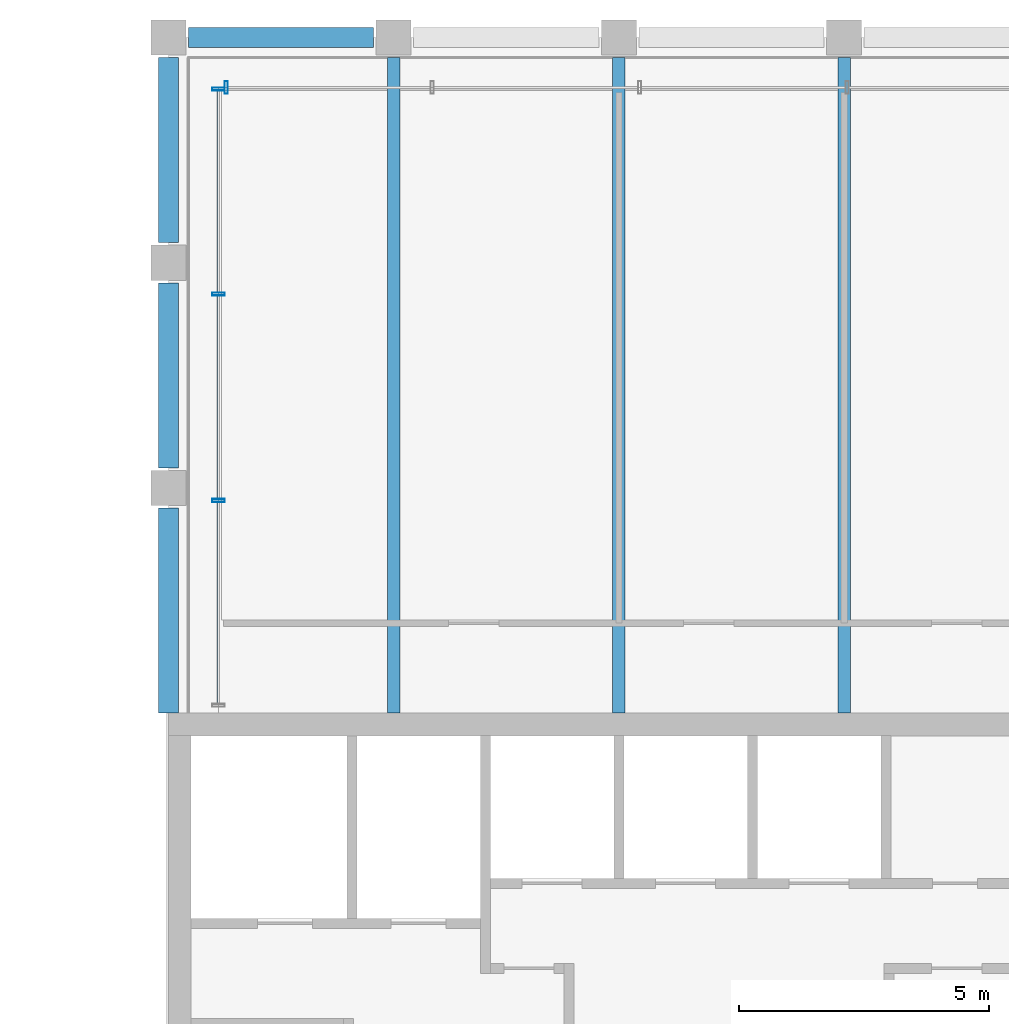
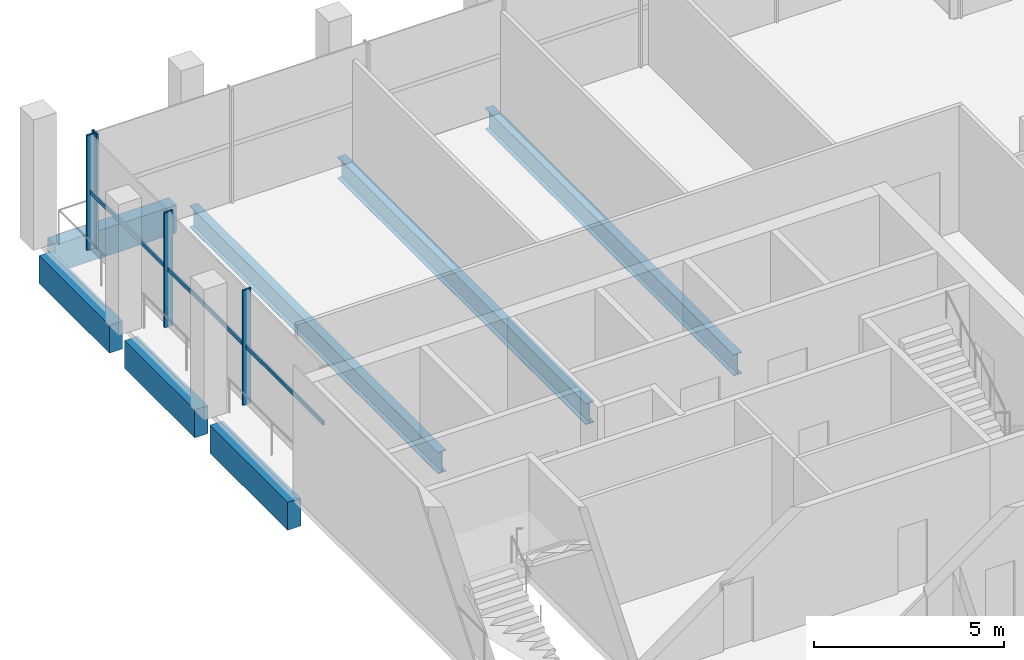
# One storey, part 10 of 17: 7 beams, 7 members, 2 elements without a shape of their own.
"""IFC4 building model written with IfcOpenShell, lengths in metres."""

from ifc_helpers import new_model, si_unit, direction, frame, origin, origin_2d, place, context, subcontext, project, spatial, rectangle, hollow_rectangle, i_section, extrude, material, material_profile, profile_set, type_object, element, aggregate, save


model = new_model("IFC4")

# Units and contexts
model_context = context("Model", 3, precision=1e-05, world=origin(), true_north=direction((0.0, 1.0)))
body_context = subcontext(model_context, "Body", "Model", "MODEL_VIEW")
ifc_project = project(units=[si_unit("LENGTHUNIT", "METRE"), si_unit("AREAUNIT", "SQUARE_METRE"), si_unit("VOLUMEUNIT", "CUBIC_METRE"), si_unit("PLANEANGLEUNIT", "RADIAN"), si_unit("MASSUNIT", "GRAM", prefix="KILO")], contexts=[model_context])

# Site, building, storey
site_placement = place(None, origin())
site = spatial("IfcSite", under=ifc_project, at=site_placement, CompositionType="ELEMENT")
building_placement = place(site_placement, origin())
building = spatial("IfcBuilding", under=site, at=building_placement, Name="Altepetl Exchange Towers", CompositionType="ELEMENT")
storey_placement = place(building_placement, frame((0.0, 0.0, 251.0)))
storey = spatial("IfcBuildingStorey", under=building, at=storey_placement, Name="L64", CompositionType="ELEMENT", Elevation=251.0)

# Beams
ifc_material_1 = material(Name="Steel S355", Category="steel")
ifc_material_profile_1 = material_profile(ifc_material_1, i_section(OverallWidth=0.25390625, OverallDepth=0.68408203125, WebThickness=0.012451171875, FlangeThickness=0.018798828125, at=origin_2d()), Name="W27X94")
ifc_profile_set_1 = profile_set([ifc_material_profile_1], Name="Steel S355")
beam_type_1 = type_object("IfcBeamType", Name="Floor beam W27X94", PredefinedType="BEAM", material=ifc_profile_set_1)
for number, where, z_axis, x_axis, name in (
    (1, (45.0, 58.5, -0.51708984375), (0.0, 1.0, 0.0), (-1.0, 0.0, 0.0), "bm:A:L64:000"),
    (2, (49.5, 58.5, -0.51708984375), (0.0, 1.0, 0.0), (-1.0, 0.0, 0.0), "bm:A:L64:001"),
    (3, (54.0, 58.5, -0.51708984375), (0.0, 1.0, 0.0), (-1.0, 0.0, 0.0), "bm:A:L64:002"),
):
    element("IfcBeam", number, at=place(storey_placement, frame(where, z_axis=z_axis, x_axis=x_axis)), inside=storey, type_object=beam_type_1, Name=name, PredefinedType="BEAM", context=body_context, shape_type="SweptSolid", body=[
        extrude(i_section(OverallWidth=0.25390625, OverallDepth=0.68408203125, WebThickness=0.012451171875, FlangeThickness=0.018798828125, at=origin_2d()), origin(), (0.0, 0.0, 1.0), 13.10009765625),
    ])

# Curtain wall, member
ifc_material_2 = material(Name="Aluminium 6063-T6 glazing", Category="aluminium")
curtain_wall_type = type_object("IfcCurtainWallType", Name="Executive flush glazing system", PredefinedType="NOTDEFINED", material=ifc_material_2)
curtain_wall_1_placement = place(storey_placement, origin())
curtain_wall_1 = element("IfcCurtainWall", 4, at=curtain_wall_1_placement, inside=storey, type_object=curtain_wall_type, Name="CW4 run", PredefinedType="NOTDEFINED")
ifc_material_3 = material(Name="Aluminium 6063-T6", Category="aluminium")
ifc_material_profile_2 = material_profile(ifc_material_3, hollow_rectangle(XDim=0.06005859375, YDim=0.25, WallThickness=0.0029296875, at=origin_2d()), Name="Mullion 60x250 hollow aluminium")
ifc_profile_set_2 = profile_set([ifc_material_profile_2], Name="Aluminium 6063-T6")
member_type_1 = type_object("IfcMemberType", Name="Mullion 60x250 hollow aluminium", PredefinedType="MULLION", material=ifc_profile_set_2)
member_1_placement = place(storey_placement, frame((41.655029296875, 71.0, 0.0), z_axis=(0.0, 0.0, 1.0), x_axis=(-1.0, 0.0, 0.0)))
member_1 = element("IfcMember", 5, at=member_1_placement, type_object=member_type_1, Name="MU3 mullion", PredefinedType="MULLION", context=body_context, shape_type="SweptSolid", body=[
    extrude(hollow_rectangle(XDim=0.06005859375, YDim=0.25, WallThickness=0.0029296875, at=origin_2d()), origin(), (0.0, 0.0, 1.0), 3.699951171875),
])
aggregate(curtain_wall_1, [member_1])

# Curtain wall, members
curtain_wall_2_placement = place(storey_placement, origin())
curtain_wall_2 = element("IfcCurtainWall", 6, at=curtain_wall_2_placement, inside=storey, type_object=curtain_wall_type, Name="CW4 run", PredefinedType="NOTDEFINED")
member_2_placement = place(storey_placement, frame((41.5, 70.969970703125, 0.0), z_axis=(0.0, 0.0, 1.0), x_axis=(0.0, -1.0, 0.0)))
member_2 = element("IfcMember", 7, at=member_2_placement, type_object=member_type_1, Name="MU3 mullion", PredefinedType="MULLION", context=body_context, shape_type="SweptSolid", body=[
    extrude(hollow_rectangle(XDim=0.06005859375, YDim=0.25, WallThickness=0.0029296875, at=origin_2d()), origin(), (0.0, 0.0, 1.0), 3.699951171875),
])
member_3_placement = place(storey_placement, frame((41.5, 66.875, 0.0), z_axis=(0.0, 0.0, 1.0), x_axis=(0.0, -1.0, 0.0)))
member_3 = element("IfcMember", 8, at=member_3_placement, type_object=member_type_1, Name="MU3 mullion", PredefinedType="MULLION", context=body_context, shape_type="SweptSolid", body=[
    extrude(hollow_rectangle(XDim=0.06005859375, YDim=0.25, WallThickness=0.0029296875, at=origin_2d()), origin(), (0.0, 0.0, 1.0), 3.699951171875),
])
member_4_placement = place(storey_placement, frame((41.5, 62.75, 0.0), z_axis=(0.0, 0.0, 1.0), x_axis=(0.0, -1.0, 0.0)))
member_4 = element("IfcMember", 9, at=member_4_placement, type_object=member_type_1, Name="MU3 mullion", PredefinedType="MULLION", context=body_context, shape_type="SweptSolid", body=[
    extrude(hollow_rectangle(XDim=0.06005859375, YDim=0.25, WallThickness=0.0029296875, at=origin_2d()), origin(), (0.0, 0.0, 1.0), 3.699951171875),
])

# Beams
ifc_material_4 = material(Name="Concrete C50/60 precast with cantera rosa facing", Category="concrete")
ifc_material_profile_3 = material_profile(ifc_material_4, rectangle(XDim=0.39990234375, YDim=0.89990234375, at=origin_2d()), Name="400 x 900")
ifc_profile_set_3 = profile_set([ifc_material_profile_3], Name="Concrete C50/60 precast with cantera rosa facing")
beam_type_2 = type_object("IfcBeamType", Name="Spandrel beam 400x900 cantera rosa", PredefinedType="SPANDREL", material=ifc_profile_set_3)
beam_1_placement = place(storey_placement, frame((44.60009765625, 72.0, -0.625), z_axis=(-1.0, 0.0, 0.0), x_axis=(0.0, -1.0, 0.0)))
element("IfcBeam", 10, at=beam_1_placement, inside=storey, type_object=beam_type_2, Name="sp:A:L64:029", PredefinedType="SPANDREL", context=body_context, shape_type="SweptSolid", body=[
    extrude(rectangle(XDim=0.39990234375, YDim=0.89990234375, at=origin_2d()), origin(), (0.0, 0.0, 1.0), 3.7001953125),
])
ifc_material_5 = material(Name="Concrete C50/60 precast with tezontle facing", Category="concrete")
ifc_material_profile_4 = material_profile(ifc_material_5, rectangle(XDim=0.39990234375, YDim=0.89990234375, at=origin_2d()), Name="400 x 900")
ifc_profile_set_4 = profile_set([ifc_material_profile_4], Name="Concrete C50/60 precast with tezontle facing")
beam_type_3 = type_object("IfcBeamType", Name="Spandrel beam 400x900 tezontle", PredefinedType="SPANDREL", material=ifc_profile_set_4)
for number, where, z_axis, x_axis, name in (
    (11, (40.5, 71.60009765625, -0.625), (0.0, -1.0, 0.0), (1.0, 0.0, 0.0), "sp:A:L64:030"),
    (12, (40.5, 67.10009765625, -0.625), (0.0, -1.0, 0.0), (1.0, 0.0, 0.0), "sp:A:L64:031"),
):
    element("IfcBeam", number, at=place(storey_placement, frame(where, z_axis=z_axis, x_axis=x_axis)), inside=storey, type_object=beam_type_3, Name=name, PredefinedType="SPANDREL", context=body_context, shape_type="SweptSolid", body=[
        extrude(rectangle(XDim=0.39990234375, YDim=0.89990234375, at=origin_2d()), origin(), (0.0, 0.0, 1.0), 3.7001953125),
    ])
beam_2_placement = place(storey_placement, frame((40.5, 62.60009765625, -0.625), z_axis=(0.0, -1.0, 0.0), x_axis=(1.0, 0.0, 0.0)))
element("IfcBeam", 13, at=beam_2_placement, inside=storey, type_object=beam_type_3, Name="sp:A:L64:032", PredefinedType="SPANDREL", context=body_context, shape_type="SweptSolid", body=[
    extrude(rectangle(XDim=0.39990234375, YDim=0.89990234375, at=origin_2d()), origin(), (0.0, 0.0, 1.0), 4.10009765625),
])

# Member
ifc_material_profile_5 = material_profile(ifc_material_3, hollow_rectangle(XDim=0.050048828125, YDim=0.139892578125, WallThickness=0.0029296875, at=origin_2d()), Name="Transom 50x140 hollow aluminium")
ifc_profile_set_5 = profile_set([ifc_material_profile_5], Name="Aluminium 6063-T6")
member_type_2 = type_object("IfcMemberType", Name="Transom 50x140 hollow aluminium", PredefinedType="USERDEFINED", material=ifc_profile_set_5)
member_5_placement = place(storey_placement, frame((41.5, 70.93994140625, 1.85009765625), z_axis=(0.0, -1.0, 0.0), x_axis=(1.0, 0.0, 0.0)))
member_5 = element("IfcMember", 14, at=member_5_placement, type_object=member_type_2, Name="TR2 transom", ObjectType="TRANSOM", PredefinedType="USERDEFINED", context=body_context, shape_type="SweptSolid", body=[
    extrude(hollow_rectangle(XDim=0.050048828125, YDim=0.139892578125, WallThickness=0.0029296875, at=origin_2d()), origin(), (0.0, 0.0, 1.0), 4.034912109375),
])

member_6_placement = place(storey_placement, frame((41.5, 66.844970703125, 1.85009765625), z_axis=(0.0, -1.0, 0.0), x_axis=(1.0, 0.0, 0.0)))
member_6 = element("IfcMember", 15, at=member_6_placement, type_object=member_type_2, Name="TR2 transom", ObjectType="TRANSOM", PredefinedType="USERDEFINED", context=body_context, shape_type="SweptSolid", body=[
    extrude(hollow_rectangle(XDim=0.050048828125, YDim=0.139892578125, WallThickness=0.0029296875, at=origin_2d()), origin(), (0.0, 0.0, 1.0), 4.06494140625),
])

member_7_placement = place(storey_placement, frame((41.5, 62.719970703125, 1.85009765625), z_axis=(0.0, -1.0, 0.0), x_axis=(1.0, 0.0, 0.0)))
member_7 = element("IfcMember", 16, at=member_7_placement, type_object=member_type_2, Name="TR2 transom", ObjectType="TRANSOM", PredefinedType="USERDEFINED", context=body_context, shape_type="SweptSolid", body=[
    extrude(hollow_rectangle(XDim=0.050048828125, YDim=0.139892578125, WallThickness=0.0029296875, at=origin_2d()), origin(), (0.0, 0.0, 1.0), 4.034912109375),
])

aggregate(curtain_wall_2, [member_2, member_3, member_4, member_5, member_6, member_7])

save(model, "model.ifc")
